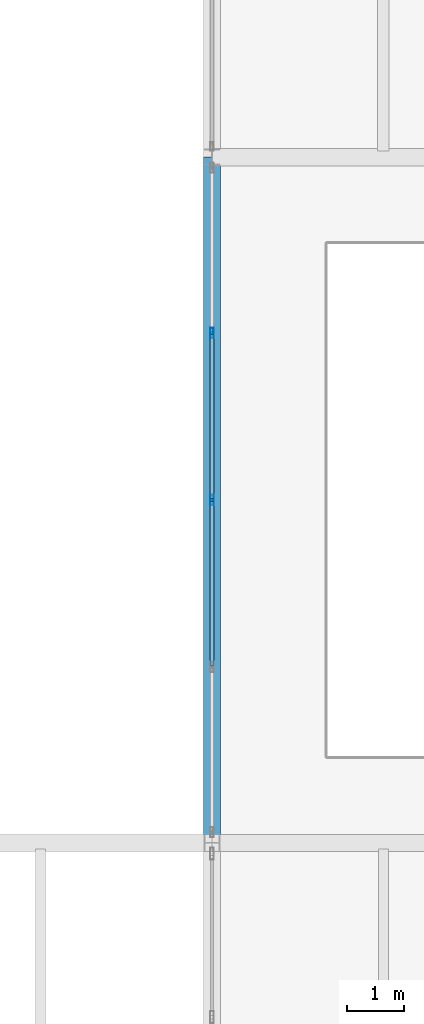
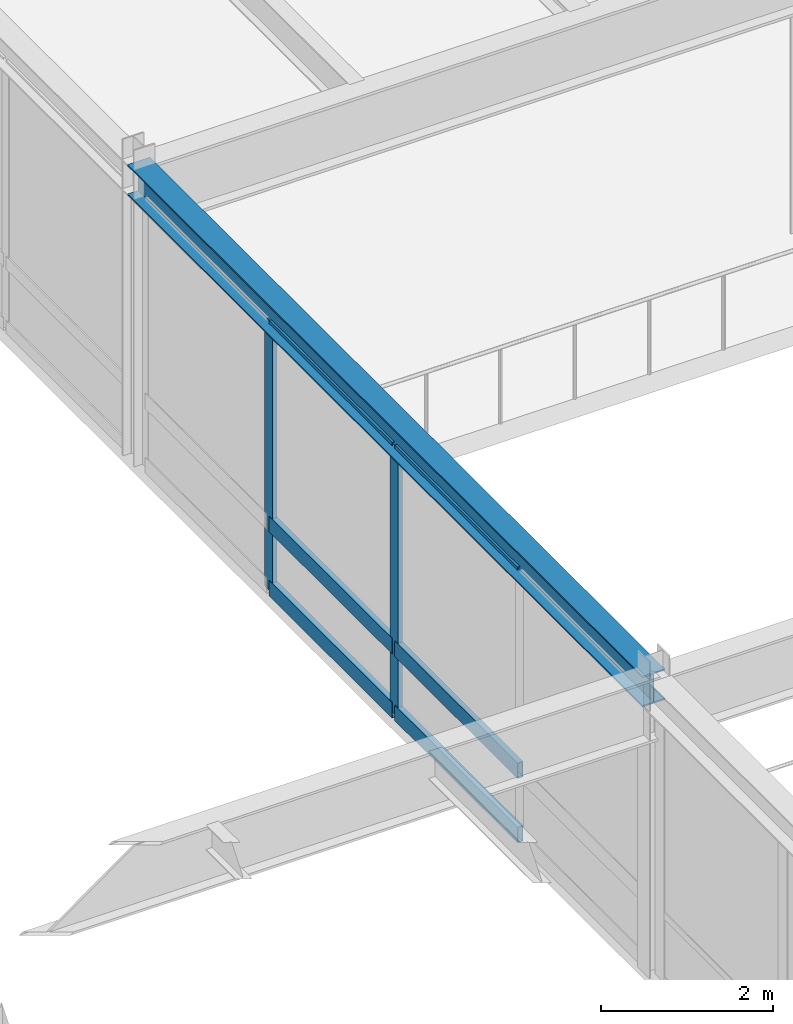
# One storey, part 33 of 127: 8 members, 1 beam, 1 element without a shape of its own.
"""IFC4 building model written with IfcOpenShell, lengths in metres."""

from ifc_helpers import new_model, si_unit, direction, frame, origin, origin_2d, place, context, subcontext, project, spatial, hollow_rectangle, i_section, extrude, material, layer, layer_set, material_profile, profile_set, type_object, element, aggregate, save


model = new_model("IFC4")

# Units and contexts
model_context = context("Model", 3, precision=1e-05, world=origin(), true_north=direction((0.0, 1.0)))
body_context = subcontext(model_context, "Body", "Model", "MODEL_VIEW")
ifc_project = project(units=[si_unit("LENGTHUNIT", "METRE"), si_unit("AREAUNIT", "SQUARE_METRE"), si_unit("VOLUMEUNIT", "CUBIC_METRE"), si_unit("PLANEANGLEUNIT", "RADIAN"), si_unit("MASSUNIT", "GRAM", prefix="KILO")], contexts=[model_context])

# Site, building, storey
site_placement = place(None, origin())
site = spatial("IfcSite", under=ifc_project, at=site_placement, CompositionType="ELEMENT")
building_placement = place(site_placement, origin())
building = spatial("IfcBuilding", under=site, at=building_placement, Name="Montelvaro Courts of Justice", CompositionType="ELEMENT")
storey_placement = place(building_placement, frame((0.0, 0.0, 5.39990234375)))
storey = spatial("IfcBuildingStorey", under=building, at=storey_placement, Name="L01", CompositionType="ELEMENT", Elevation=5.39990234375)

# Beam
ifc_material_1 = material(Name="Steel S355", Category="steel")
ifc_material_profile_1 = material_profile(ifc_material_1, i_section(OverallWidth=0.300048828125, OverallDepth=0.43994140625, WebThickness=0.011474609375, FlangeThickness=0.02099609375, at=origin_2d()), Name="HEA 450")
ifc_profile_set_1 = profile_set([ifc_material_profile_1], Name="Steel S355")
beam_type = type_object("IfcBeamType", Name="Beam_HEA450", PredefinedType="USERDEFINED", material=ifc_profile_set_1)
beam_placement = place(storey_placement, frame((54.0, 54.0, 4.0), z_axis=(0.0, 1.0, 0.0), x_axis=(-1.0, 0.0, 0.0)))
element("IfcBeam", 1, at=beam_placement, inside=storey, type_object=beam_type, Name="Beam B-18 L01", ObjectType="GIRDER", PredefinedType="USERDEFINED", context=body_context, shape_type="SweptSolid", body=[
    extrude(i_section(OverallWidth=0.300048828125, OverallDepth=0.43994140625, WebThickness=0.011474609375, FlangeThickness=0.02099609375, at=origin_2d()), origin(), (0.0, 0.0, 1.0), 12.0),
])

# Curtain wall, members
ifc_material_2 = material(Name="Anodised aluminium EN AW-6063", Category="aluminium")
ifc_layer = layer(ifc_material_2, 0.159912109375)
ifc_layer_set = layer_set([ifc_layer], Name="Anodised aluminium EN AW-6063")
curtain_wall_type = type_object("IfcCurtainWallType", Name="CurtainWall_24_1169x418", PredefinedType="USERDEFINED", material=ifc_layer_set)
curtain_wall_placement = place(storey_placement, origin())
curtain_wall = element("IfcCurtainWall", 2, at=curtain_wall_placement, inside=storey, type_object=curtain_wall_type, Name="Curtain Wall CW-24 (L01)", ObjectType="CURTAIN WALL", PredefinedType="USERDEFINED")
ifc_material_profile_2 = material_profile(ifc_material_2, hollow_rectangle(XDim=0.06005859375, YDim=0.179931640625, WallThickness=0.00439453125, at=origin_2d()), Name="ALU-M 60x180")
ifc_profile_set_2 = profile_set([ifc_material_profile_2], Name="Anodised aluminium EN AW-6063")
member_type_1 = type_object("IfcMemberType", Name="CurtainWall_Mullion_60x180", PredefinedType="MULLION", material=ifc_profile_set_2)
member_1_placement = place(storey_placement, frame((54.0, 62.922607421875, 0.0), z_axis=(0.0, 0.0, 1.0), x_axis=(1.0, 0.0, 0.0)))
member_1 = element("IfcMember", 3, at=member_1_placement, type_object=member_type_1, Name="CW-24 mullion 2", PredefinedType="MULLION", context=body_context, shape_type="SweptSolid", body=[
    extrude(hollow_rectangle(XDim=0.06005859375, YDim=0.179931640625, WallThickness=0.00439453125, at=origin_2d()), origin(), (0.0, 0.0, 1.0), 3.775146484375),
])
member_2_placement = place(storey_placement, frame((54.0, 60.0, 0.0), z_axis=(0.0, 0.0, 1.0), x_axis=(1.0, 0.0, 0.0)))
member_2 = element("IfcMember", 4, at=member_2_placement, type_object=member_type_1, Name="CW-24 mullion 3", PredefinedType="MULLION", context=body_context, shape_type="SweptSolid", body=[
    extrude(hollow_rectangle(XDim=0.06005859375, YDim=0.179931640625, WallThickness=0.00439453125, at=origin_2d()), origin(), (0.0, 0.0, 1.0), 3.775146484375),
])
ifc_material_profile_3 = material_profile(ifc_material_2, hollow_rectangle(XDim=0.074951171875, YDim=0.219970703125, WallThickness=0.005615234375, at=origin_2d()), Name="ALU-T 75x220")
ifc_profile_set_3 = profile_set([ifc_material_profile_3], Name="Anodised aluminium EN AW-6063")
member_type_2 = type_object("IfcMemberType", Name="CurtainWall_Transom_75x220", PredefinedType="USERDEFINED", material=ifc_profile_set_3)
member_3_placement = place(storey_placement, frame((54.0, 62.892578125, 0.03759765625), z_axis=(0.0, -1.0, 0.0), x_axis=(1.0, 0.0, 0.0)))
member_3 = element("IfcMember", 5, at=member_3_placement, type_object=member_type_2, Name="CW-24 transom 2.1", ObjectType="TRANSOM", PredefinedType="USERDEFINED", context=body_context, shape_type="SweptSolid", body=[
    extrude(hollow_rectangle(XDim=0.074951171875, YDim=0.219970703125, WallThickness=0.005615234375, at=origin_2d()), origin(), (0.0, 0.0, 1.0), 2.862548828125),
])
member_4_placement = place(storey_placement, frame((54.0, 62.892578125, 0.9501953125), z_axis=(0.0, -1.0, 0.0), x_axis=(1.0, 0.0, 0.0)))
member_4 = element("IfcMember", 6, at=member_4_placement, type_object=member_type_2, Name="CW-24 transom 2.2", ObjectType="TRANSOM", PredefinedType="USERDEFINED", context=body_context, shape_type="SweptSolid", body=[
    extrude(hollow_rectangle(XDim=0.074951171875, YDim=0.219970703125, WallThickness=0.005615234375, at=origin_2d()), origin(), (0.0, 0.0, 1.0), 2.862548828125),
])
member_5_placement = place(storey_placement, frame((54.0, 62.892578125, 3.737548828125), z_axis=(0.0, -1.0, 0.0), x_axis=(1.0, 0.0, 0.0)))
member_5 = element("IfcMember", 7, at=member_5_placement, type_object=member_type_2, Name="CW-24 transom 2.3", ObjectType="TRANSOM", PredefinedType="USERDEFINED", context=body_context, shape_type="SweptSolid", body=[
    extrude(hollow_rectangle(XDim=0.074951171875, YDim=0.219970703125, WallThickness=0.005615234375, at=origin_2d()), origin(), (0.0, 0.0, 1.0), 2.862548828125),
])
member_6_placement = place(storey_placement, frame((54.0, 59.969970703125, 0.03759765625), z_axis=(0.0, -1.0, 0.0), x_axis=(1.0, 0.0, 0.0)))
member_6 = element("IfcMember", 8, at=member_6_placement, type_object=member_type_2, Name="CW-24 transom 3.1", ObjectType="TRANSOM", PredefinedType="USERDEFINED", context=body_context, shape_type="SweptSolid", body=[
    extrude(hollow_rectangle(XDim=0.074951171875, YDim=0.219970703125, WallThickness=0.005615234375, at=origin_2d()), origin(), (0.0, 0.0, 1.0), 2.862548828125),
])
member_7_placement = place(storey_placement, frame((54.0, 59.969970703125, 0.9501953125), z_axis=(0.0, -1.0, 0.0), x_axis=(1.0, 0.0, 0.0)))
member_7 = element("IfcMember", 9, at=member_7_placement, type_object=member_type_2, Name="CW-24 transom 3.2", ObjectType="TRANSOM", PredefinedType="USERDEFINED", context=body_context, shape_type="SweptSolid", body=[
    extrude(hollow_rectangle(XDim=0.074951171875, YDim=0.219970703125, WallThickness=0.005615234375, at=origin_2d()), origin(), (0.0, 0.0, 1.0), 2.862548828125),
])
member_8_placement = place(storey_placement, frame((54.0, 59.969970703125, 3.737548828125), z_axis=(0.0, -1.0, 0.0), x_axis=(1.0, 0.0, 0.0)))
member_8 = element("IfcMember", 10, at=member_8_placement, type_object=member_type_2, Name="CW-24 transom 3.3", ObjectType="TRANSOM", PredefinedType="USERDEFINED", context=body_context, shape_type="SweptSolid", body=[
    extrude(hollow_rectangle(XDim=0.074951171875, YDim=0.219970703125, WallThickness=0.005615234375, at=origin_2d()), origin(), (0.0, 0.0, 1.0), 2.862548828125),
])
aggregate(curtain_wall, [member_1, member_2, member_3, member_4, member_5, member_6, member_7, member_8])

save(model, "model.ifc")
